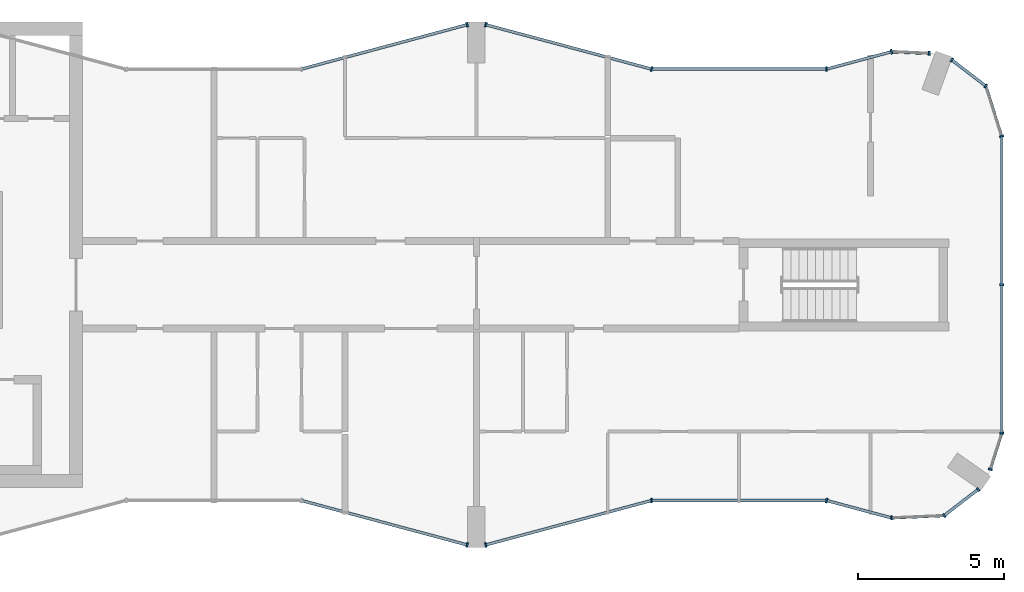
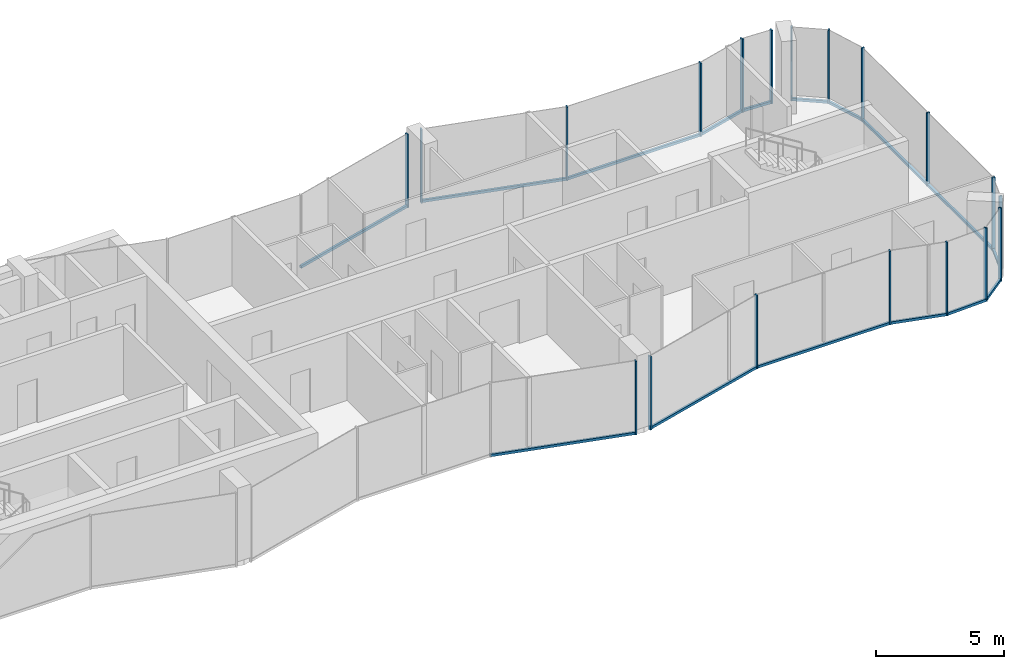
# One storey, part 5 of 10: 34 members, 15 elements without a shape of their own.
"""IFC4 building model written with IfcOpenShell, lengths in metres."""

from ifc_helpers import new_model, si_unit, direction, frame, origin, origin_2d, place, context, subcontext, project, spatial, rectangle, extrude, material, layer, layer_set, material_profile, profile_set, type_object, element, aggregate, save


model = new_model("IFC4")

# Units and contexts
model_context = context("Model", 3, precision=1e-05, world=origin(), true_north=direction((0.0, 1.0)))
body_context = subcontext(model_context, "Body", "Model", "MODEL_VIEW")
ifc_project = project(units=[si_unit("LENGTHUNIT", "METRE"), si_unit("AREAUNIT", "SQUARE_METRE"), si_unit("VOLUMEUNIT", "CUBIC_METRE"), si_unit("PLANEANGLEUNIT", "RADIAN"), si_unit("MASSUNIT", "GRAM", prefix="KILO")], contexts=[model_context])

# Site, building, storey
site_placement = place(None, origin())
site = spatial("IfcSite", under=ifc_project, at=site_placement, CompositionType="ELEMENT")
building_placement = place(site_placement, origin())
building = spatial("IfcBuilding", under=site, at=building_placement, Name="Plateau Cross Towers", CompositionType="ELEMENT")
storey_placement = place(building_placement, frame((0.0, 0.0, 277.39990234375)))
storey = spatial("IfcBuildingStorey", under=building, at=storey_placement, Name="L73", CompositionType="ELEMENT", Elevation=277.39990234375)

# Curtain wall, member
ifc_material_1 = material(Name="Dark low-iron glass", Category="glass")
ifc_layer_1 = layer(ifc_material_1, 0.239990234375)
ifc_layer_set_1 = layer_set([ifc_layer_1], Name="Dark low-iron glass")
curtain_wall_type_1 = type_object("IfcCurtainWallType", Name="Curtain wall flush unitised CW-B", PredefinedType="NOTDEFINED", material=ifc_layer_set_1)
curtain_wall_1_placement = place(storey_placement, origin())
curtain_wall_1 = element("IfcCurtainWall", 1, at=curtain_wall_1_placement, inside=storey, type_object=curtain_wall_type_1, Name="ENV/A/L73/A502_10", PredefinedType="NOTDEFINED")
ifc_material_2 = material(Name="Black anodised aluminium", Category="aluminium")
ifc_material_profile_1 = material_profile(ifc_material_2, rectangle(XDim=0.06005859375, YDim=0.139892578125, at=origin_2d()), Name="MULLION 60x140")
ifc_profile_set_1 = profile_set([ifc_material_profile_1], Name="Black anodised aluminium")
member_type_1 = type_object("IfcMemberType", Name="Mullion 60x140 flush unitised", PredefinedType="MULLION", material=ifc_profile_set_1)
member_1_placement = place(storey_placement, frame((50.223876953125, 1.01123046875, -0.25), z_axis=(0.0, 0.0, 1.0), x_axis=(0.999043701491, 0.043722791671, 0.0)))
member_1 = element("IfcMember", 2, at=member_1_placement, type_object=member_type_1, Name="CW-B mullion 1", PredefinedType="MULLION", context=body_context, shape_type="SweptSolid", body=[
    extrude(rectangle(XDim=0.06005859375, YDim=0.139892578125, at=origin_2d()), origin(), (0.0, 0.0, 1.0), 3.5),
])

# Curtain wall, members
curtain_wall_2_placement = place(storey_placement, origin())
curtain_wall_2 = element("IfcCurtainWall", 3, at=curtain_wall_2_placement, inside=storey, type_object=curtain_wall_type_1, Name="ENV/A/L73/A520_11", PredefinedType="NOTDEFINED")
member_2_placement = place(storey_placement, frame((52.0263671875, 1.090087890625, -0.25), z_axis=(0.0, 0.0, 1.0), x_axis=(0.793315514529, 0.608810721331, 0.0)))
member_2 = element("IfcMember", 4, at=member_2_placement, type_object=member_type_1, Name="CW-B mullion 1", PredefinedType="MULLION", context=body_context, shape_type="SweptSolid", body=[
    extrude(rectangle(XDim=0.06005859375, YDim=0.139892578125, at=origin_2d()), origin(), (0.0, 0.0, 1.0), 3.5),
])
member_3_placement = place(storey_placement, frame((53.193603515625, 1.986083984375, -0.25), z_axis=(0.0, 0.0, 1.0), x_axis=(0.793315514529, 0.608810721331, 0.0)))
member_3 = element("IfcMember", 5, at=member_3_placement, type_object=member_type_1, Name="CW-B mullion 2", PredefinedType="MULLION", context=body_context, shape_type="SweptSolid", body=[
    extrude(rectangle(XDim=0.06005859375, YDim=0.139892578125, at=origin_2d()), origin(), (0.0, 0.0, 1.0), 3.5),
])

# Curtain wall, member
curtain_wall_3_placement = place(storey_placement, origin())
curtain_wall_3 = element("IfcCurtainWall", 6, at=curtain_wall_3_placement, inside=storey, type_object=curtain_wall_type_1, Name="ENV/A/L73/A536_27", PredefinedType="NOTDEFINED")
member_4_placement = place(storey_placement, frame((53.611083984375, 2.67529296875, -0.25), z_axis=(0.0, 0.0, 1.0), x_axis=(0.300686174994, 0.95372313811, 0.0)))
member_4 = element("IfcMember", 7, at=member_4_placement, type_object=member_type_1, Name="CW-B mullion 1", PredefinedType="MULLION", context=body_context, shape_type="SweptSolid", body=[
    extrude(rectangle(XDim=0.06005859375, YDim=0.139892578125, at=origin_2d()), origin(), (0.0, 0.0, 1.0), 3.5),
])

# Curtain wall, members
curtain_wall_4_placement = place(storey_placement, origin())
curtain_wall_4 = element("IfcCurtainWall", 8, at=curtain_wall_4_placement, inside=storey, type_object=curtain_wall_type_1, Name="ENV/A/L73/A540_39", PredefinedType="NOTDEFINED")
member_5_placement = place(storey_placement, frame((54.0, 3.9091796875, -0.25), z_axis=(0.0, 0.0, 1.0), x_axis=(0.0, 1.0, 0.0)))
member_5 = element("IfcMember", 9, at=member_5_placement, type_object=member_type_1, Name="CW-B mullion 1", PredefinedType="MULLION", context=body_context, shape_type="SweptSolid", body=[
    extrude(rectangle(XDim=0.06005859375, YDim=0.139892578125, at=origin_2d()), origin(), (0.0, 0.0, 1.0), 3.5),
])
member_6_placement = place(storey_placement, frame((54.0, 9.0, -0.25), z_axis=(0.0, 0.0, 1.0), x_axis=(0.0, 1.0, 0.0)))
member_6 = element("IfcMember", 10, at=member_6_placement, type_object=member_type_1, Name="CW-B mullion 2", PredefinedType="MULLION", context=body_context, shape_type="SweptSolid", body=[
    extrude(rectangle(XDim=0.06005859375, YDim=0.139892578125, at=origin_2d()), origin(), (0.0, 0.0, 1.0), 3.5),
])

# Curtain wall, member
curtain_wall_5_placement = place(storey_placement, origin())
curtain_wall_5 = element("IfcCurtainWall", 11, at=curtain_wall_5_placement, inside=storey, type_object=curtain_wall_type_1, Name="ENV/A/L73/A540_141", PredefinedType="NOTDEFINED")
member_7_placement = place(storey_placement, frame((54.0, 14.0908203125, -0.25), z_axis=(0.0, 0.0, 1.0), x_axis=(-0.300686174994, 0.95372313811, 0.0)))
member_7 = element("IfcMember", 12, at=member_7_placement, type_object=member_type_1, Name="CW-B mullion 1", PredefinedType="MULLION", context=body_context, shape_type="SweptSolid", body=[
    extrude(rectangle(XDim=0.06005859375, YDim=0.139892578125, at=origin_2d()), origin(), (0.0, 0.0, 1.0), 3.5),
])

# Curtain wall, members
curtain_wall_6_placement = place(storey_placement, origin())
curtain_wall_6 = element("IfcCurtainWall", 13, at=curtain_wall_6_placement, inside=storey, type_object=curtain_wall_type_1, Name="ENV/A/L73/A535_158", PredefinedType="NOTDEFINED")
member_8_placement = place(storey_placement, frame((53.45751953125, 15.8115234375, -0.25), z_axis=(0.0, 0.0, 1.0), x_axis=(-0.793315514529, 0.608810721331, 0.0)))
member_8 = element("IfcMember", 14, at=member_8_placement, type_object=member_type_1, Name="CW-B mullion 1", PredefinedType="MULLION", context=body_context, shape_type="SweptSolid", body=[
    extrude(rectangle(XDim=0.06005859375, YDim=0.139892578125, at=origin_2d()), origin(), (0.0, 0.0, 1.0), 3.5),
])
member_9_placement = place(storey_placement, frame((52.290283203125, 16.707275390625, -0.25), z_axis=(0.0, 0.0, 1.0), x_axis=(-0.793315514529, 0.608810721331, 0.0)))
member_9 = element("IfcMember", 15, at=member_9_placement, type_object=member_type_1, Name="CW-B mullion 2", PredefinedType="MULLION", context=body_context, shape_type="SweptSolid", body=[
    extrude(rectangle(XDim=0.06005859375, YDim=0.139892578125, at=origin_2d()), origin(), (0.0, 0.0, 1.0), 3.5),
])

# Curtain wall, member
curtain_wall_7_placement = place(storey_placement, origin())
curtain_wall_7 = element("IfcCurtainWall", 16, at=curtain_wall_7_placement, inside=storey, type_object=curtain_wall_type_1, Name="ENV/A/L73/A515_169", PredefinedType="NOTDEFINED")
member_10_placement = place(storey_placement, frame((51.516357421875, 16.93212890625, -0.25), z_axis=(0.0, 0.0, 1.0), x_axis=(-0.999043701491, 0.043722791671, 0.0)))
member_10 = element("IfcMember", 17, at=member_10_placement, type_object=member_type_1, Name="CW-B mullion 1", PredefinedType="MULLION", context=body_context, shape_type="SweptSolid", body=[
    extrude(rectangle(XDim=0.06005859375, YDim=0.139892578125, at=origin_2d()), origin(), (0.0, 0.0, 1.0), 3.5),
])

ifc_layer_2 = layer(ifc_material_1, 0.260009765625)
ifc_layer_set_2 = layer_set([ifc_layer_2], Name="Dark low-iron glass")
curtain_wall_type_2 = type_object("IfcCurtainWallType", Name="Curtain wall fluted unitised CW-A", PredefinedType="NOTDEFINED", material=ifc_layer_set_2)
curtain_wall_8_placement = place(storey_placement, origin())
curtain_wall_8 = element("IfcCurtainWall", 18, at=curtain_wall_8_placement, inside=storey, type_object=curtain_wall_type_2, Name="ENV/A/L73/A300_16", PredefinedType="NOTDEFINED")
ifc_material_profile_2 = material_profile(ifc_material_2, rectangle(XDim=0.06005859375, YDim=0.159912109375, at=origin_2d()), Name="MULLION 60x160")
ifc_profile_set_2 = profile_set([ifc_material_profile_2], Name="Black anodised aluminium")
member_type_2 = type_object("IfcMemberType", Name="Mullion 60x160 fluted unitised", PredefinedType="MULLION", material=ifc_profile_set_2)
member_11_placement = place(storey_placement, frame((35.68212890625, 0.085205078125, -0.25), z_axis=(0.0, 0.0, 1.0), x_axis=(0.965957983404, -0.258699003279, 0.0)))
member_11 = element("IfcMember", 19, at=member_11_placement, type_object=member_type_2, Name="CW-A mullion 2", PredefinedType="MULLION", context=body_context, shape_type="SweptSolid", body=[
    extrude(rectangle(XDim=0.06005859375, YDim=0.159912109375, at=origin_2d()), origin(), (0.0, 0.0, 1.0), 3.5),
])

curtain_wall_9_placement = place(storey_placement, origin())
curtain_wall_9 = element("IfcCurtainWall", 20, at=curtain_wall_9_placement, inside=storey, type_object=curtain_wall_type_2, Name="ENV/A/L73/A363_1", PredefinedType="NOTDEFINED")
member_12_placement = place(storey_placement, frame((36.31787109375, 0.085205078125, -0.25), z_axis=(0.0, 0.0, 1.0), x_axis=(0.965957983404, 0.258699003279, 0.0)))
member_12 = element("IfcMember", 21, at=member_12_placement, type_object=member_type_2, Name="CW-A mullion 1", PredefinedType="MULLION", context=body_context, shape_type="SweptSolid", body=[
    extrude(rectangle(XDim=0.06005859375, YDim=0.159912109375, at=origin_2d()), origin(), (0.0, 0.0, 1.0), 3.5),
])

curtain_wall_10_placement = place(storey_placement, origin())
curtain_wall_10 = element("IfcCurtainWall", 22, at=curtain_wall_10_placement, inside=storey, type_object=curtain_wall_type_2, Name="ENV/A/L73/A420_16", PredefinedType="NOTDEFINED")
member_13_placement = place(storey_placement, frame((42.0, 1.60693359375, -0.25), z_axis=(0.0, 0.0, 1.0), x_axis=(1.0, 0.0, 0.0)))
member_13 = element("IfcMember", 23, at=member_13_placement, type_object=member_type_2, Name="CW-A mullion 1", PredefinedType="MULLION", context=body_context, shape_type="SweptSolid", body=[
    extrude(rectangle(XDim=0.06005859375, YDim=0.159912109375, at=origin_2d()), origin(), (0.0, 0.0, 1.0), 3.5),
])

curtain_wall_11_placement = place(storey_placement, origin())
curtain_wall_11 = element("IfcCurtainWall", 24, at=curtain_wall_11_placement, inside=storey, type_object=curtain_wall_type_2, Name="ENV/A/L73/A480_16", PredefinedType="NOTDEFINED")
member_14_placement = place(storey_placement, frame((48.0, 1.60693359375, -0.25), z_axis=(0.0, 0.0, 1.0), x_axis=(0.965957962328, -0.258699081978, 0.0)))
member_14 = element("IfcMember", 25, at=member_14_placement, type_object=member_type_2, Name="CW-A mullion 1", PredefinedType="MULLION", context=body_context, shape_type="SweptSolid", body=[
    extrude(rectangle(XDim=0.06005859375, YDim=0.159912109375, at=origin_2d()), origin(), (0.0, 0.0, 1.0), 3.5),
])

curtain_wall_12_placement = place(storey_placement, origin())
curtain_wall_12 = element("IfcCurtainWall", 26, at=curtain_wall_12_placement, inside=storey, type_object=curtain_wall_type_2, Name="ENV/A/L73/A502_170", PredefinedType="NOTDEFINED")
member_15_placement = place(storey_placement, frame((50.223876953125, 16.98876953125, -0.25), z_axis=(0.0, 0.0, 1.0), x_axis=(-0.965957962328, -0.258699081978, 0.0)))
member_15 = element("IfcMember", 27, at=member_15_placement, type_object=member_type_2, Name="CW-A mullion 1", PredefinedType="MULLION", context=body_context, shape_type="SweptSolid", body=[
    extrude(rectangle(XDim=0.06005859375, YDim=0.159912109375, at=origin_2d()), origin(), (0.0, 0.0, 1.0), 3.5),
])

curtain_wall_13_placement = place(storey_placement, origin())
curtain_wall_13 = element("IfcCurtainWall", 28, at=curtain_wall_13_placement, inside=storey, type_object=curtain_wall_type_2, Name="ENV/A/L73/A480_164", PredefinedType="NOTDEFINED")
member_16_placement = place(storey_placement, frame((48.0, 16.39306640625, -0.25), z_axis=(0.0, 0.0, 1.0), x_axis=(-1.0, 0.0, 0.0)))
member_16 = element("IfcMember", 29, at=member_16_placement, type_object=member_type_2, Name="CW-A mullion 1", PredefinedType="MULLION", context=body_context, shape_type="SweptSolid", body=[
    extrude(rectangle(XDim=0.06005859375, YDim=0.159912109375, at=origin_2d()), origin(), (0.0, 0.0, 1.0), 3.5),
])

# Curtain wall, members
curtain_wall_14_placement = place(storey_placement, origin())
curtain_wall_14 = element("IfcCurtainWall", 30, at=curtain_wall_14_placement, inside=storey, type_object=curtain_wall_type_2, Name="ENV/A/L73/A420_164", PredefinedType="NOTDEFINED")
member_17_placement = place(storey_placement, frame((42.0, 16.39306640625, -0.25), z_axis=(0.0, 0.0, 1.0), x_axis=(-0.965957983404, 0.258699003279, 0.0)))
member_17 = element("IfcMember", 31, at=member_17_placement, type_object=member_type_2, Name="CW-A mullion 1", PredefinedType="MULLION", context=body_context, shape_type="SweptSolid", body=[
    extrude(rectangle(XDim=0.06005859375, YDim=0.159912109375, at=origin_2d()), origin(), (0.0, 0.0, 1.0), 3.5),
])
member_18_placement = place(storey_placement, frame((36.31787109375, 17.914794921875, -0.25), z_axis=(0.0, 0.0, 1.0), x_axis=(-0.965957983404, 0.258699003279, 0.0)))
member_18 = element("IfcMember", 32, at=member_18_placement, type_object=member_type_2, Name="CW-A mullion 2", PredefinedType="MULLION", context=body_context, shape_type="SweptSolid", body=[
    extrude(rectangle(XDim=0.06005859375, YDim=0.159912109375, at=origin_2d()), origin(), (0.0, 0.0, 1.0), 3.5),
])

# Curtain wall, member
curtain_wall_15_placement = place(storey_placement, origin())
curtain_wall_15 = element("IfcCurtainWall", 33, at=curtain_wall_15_placement, inside=storey, type_object=curtain_wall_type_2, Name="ENV/A/L73/A357_179", PredefinedType="NOTDEFINED")
member_19_placement = place(storey_placement, frame((35.68212890625, 17.914794921875, -0.25), z_axis=(0.0, 0.0, 1.0), x_axis=(-0.965957983404, -0.258699003279, 0.0)))
member_19 = element("IfcMember", 34, at=member_19_placement, type_object=member_type_2, Name="CW-A mullion 1", PredefinedType="MULLION", context=body_context, shape_type="SweptSolid", body=[
    extrude(rectangle(XDim=0.06005859375, YDim=0.159912109375, at=origin_2d()), origin(), (0.0, 0.0, 1.0), 3.5),
])

# Member
ifc_material_profile_3 = material_profile(ifc_material_2, rectangle(XDim=0.10009765625, YDim=0.1201171875, at=origin_2d()), Name="TRANSOM 100x120")
ifc_profile_set_3 = profile_set([ifc_material_profile_3], Name="Black anodised aluminium")
member_type_3 = type_object("IfcMemberType", Name="Transom 100x120 flush unitised", PredefinedType="USERDEFINED", material=ifc_profile_set_3)
member_20_placement = place(storey_placement, frame((50.223876953125, 1.01123046875, -0.18994140625), z_axis=(0.999044377355, 0.043707345779, 0.0), x_axis=(-0.043707345779, 0.999044377355, 0.0)))
member_20 = element("IfcMember", 35, at=member_20_placement, type_object=member_type_3, Name="CW-B transom", ObjectType="TRANSOM", PredefinedType="USERDEFINED", context=body_context, shape_type="SweptSolid", body=[
    extrude(rectangle(XDim=0.10009765625, YDim=0.1201171875, at=origin_2d()), origin(), (0.0, 0.0, 1.0), 1.80419921875),
])

aggregate(curtain_wall_1, [member_1, member_20])

member_21_placement = place(storey_placement, frame((52.0263671875, 1.090087890625, -0.18994140625), z_axis=(0.793240368515, 0.608908628415, 0.0), x_axis=(-0.608908628415, 0.793240368515, 0.0)))
member_21 = element("IfcMember", 36, at=member_21_placement, type_object=member_type_3, Name="CW-B transom", ObjectType="TRANSOM", PredefinedType="USERDEFINED", context=body_context, shape_type="SweptSolid", body=[
    extrude(rectangle(XDim=0.10009765625, YDim=0.1201171875, at=origin_2d()), origin(), (0.0, 0.0, 1.0), 1.471435546875),
])

aggregate(curtain_wall_2, [member_2, member_3, member_21])

member_22_placement = place(storey_placement, frame((53.611083984375, 2.67529296875, -0.18994140625), z_axis=(0.300616528216, 0.953745093284, 0.0), x_axis=(-0.953745093284, 0.300616528216, 0.0)))
member_22 = element("IfcMember", 37, at=member_22_placement, type_object=member_type_3, Name="CW-B transom", ObjectType="TRANSOM", PredefinedType="USERDEFINED", context=body_context, shape_type="SweptSolid", body=[
    extrude(rectangle(XDim=0.10009765625, YDim=0.1201171875, at=origin_2d()), origin(), (0.0, 0.0, 1.0), 1.293701171875),
])

aggregate(curtain_wall_3, [member_4, member_22])

member_23_placement = place(storey_placement, frame((54.0, 3.9091796875, -0.18994140625), z_axis=(0.0, 1.0, 0.0), x_axis=(-1.0, 0.0, 0.0)))
member_23 = element("IfcMember", 38, at=member_23_placement, type_object=member_type_3, Name="CW-B transom", ObjectType="TRANSOM", PredefinedType="USERDEFINED", context=body_context, shape_type="SweptSolid", body=[
    extrude(rectangle(XDim=0.10009765625, YDim=0.1201171875, at=origin_2d()), origin(), (0.0, 0.0, 1.0), 10.181640625),
])

aggregate(curtain_wall_4, [member_5, member_6, member_23])

member_24_placement = place(storey_placement, frame((54.0, 14.0908203125, -0.18994140625), z_axis=(-0.30067799945, 0.953725715626, 0.0), x_axis=(-0.953725715626, -0.30067799945, 0.0)))
member_24 = element("IfcMember", 39, at=member_24_placement, type_object=member_type_3, Name="CW-B transom", ObjectType="TRANSOM", PredefinedType="USERDEFINED", context=body_context, shape_type="SweptSolid", body=[
    extrude(rectangle(XDim=0.10009765625, YDim=0.1201171875, at=origin_2d()), origin(), (0.0, 0.0, 1.0), 1.80419921875),
])

aggregate(curtain_wall_5, [member_7, member_24])

member_25_placement = place(storey_placement, frame((53.45751953125, 15.8115234375, -0.18994140625), z_axis=(-0.793320508571, 0.608804213751, 0.0), x_axis=(-0.608804213751, -0.793320508571, 0.0)))
member_25 = element("IfcMember", 40, at=member_25_placement, type_object=member_type_3, Name="CW-B transom", ObjectType="TRANSOM", PredefinedType="USERDEFINED", context=body_context, shape_type="SweptSolid", body=[
    extrude(rectangle(XDim=0.10009765625, YDim=0.1201171875, at=origin_2d()), origin(), (0.0, 0.0, 1.0), 1.471435546875),
])

aggregate(curtain_wall_6, [member_8, member_9, member_25])

member_26_placement = place(storey_placement, frame((51.516357421875, 16.93212890625, -0.18994140625), z_axis=(-0.999041144614, 0.043781175963, 0.0), x_axis=(-0.043781175963, -0.999041144614, 0.0)))
member_26 = element("IfcMember", 41, at=member_26_placement, type_object=member_type_3, Name="CW-B transom", ObjectType="TRANSOM", PredefinedType="USERDEFINED", context=body_context, shape_type="SweptSolid", body=[
    extrude(rectangle(XDim=0.10009765625, YDim=0.1201171875, at=origin_2d()), origin(), (0.0, 0.0, 1.0), 1.293701171875),
])

aggregate(curtain_wall_7, [member_10, member_26])

ifc_material_profile_4 = material_profile(ifc_material_2, rectangle(XDim=0.10009765625, YDim=0.1201171875, at=origin_2d()), Name="TRANSOM 100x120")
ifc_profile_set_4 = profile_set([ifc_material_profile_4], Name="Black anodised aluminium")
member_type_4 = type_object("IfcMemberType", Name="Transom 100x120 fluted unitised", PredefinedType="USERDEFINED", material=ifc_profile_set_4)
member_27_placement = place(storey_placement, frame((30.0, 1.60693359375, -0.18994140625), z_axis=(0.965959534794, -0.258693210465, 0.0), x_axis=(0.258693210465, 0.965959534794, 0.0)))
member_27 = element("IfcMember", 42, at=member_27_placement, type_object=member_type_4, Name="CW-A transom", ObjectType="TRANSOM", PredefinedType="USERDEFINED", context=body_context, shape_type="SweptSolid", body=[
    extrude(rectangle(XDim=0.10009765625, YDim=0.1201171875, at=origin_2d()), origin(), (0.0, 0.0, 1.0), 5.88232421875),
])

aggregate(curtain_wall_8, [member_11, member_27])

member_28_placement = place(storey_placement, frame((36.31787109375, 0.085205078125, -0.18994140625), z_axis=(0.965959534794, 0.258693210465, 0.0), x_axis=(-0.258693210465, 0.965959534794, 0.0)))
member_28 = element("IfcMember", 43, at=member_28_placement, type_object=member_type_4, Name="CW-A transom", ObjectType="TRANSOM", PredefinedType="USERDEFINED", context=body_context, shape_type="SweptSolid", body=[
    extrude(rectangle(XDim=0.10009765625, YDim=0.1201171875, at=origin_2d()), origin(), (0.0, 0.0, 1.0), 5.88232421875),
])

aggregate(curtain_wall_9, [member_12, member_28])

member_29_placement = place(storey_placement, frame((42.0, 1.60693359375, -0.18994140625), z_axis=(1.0, 0.0, 0.0), x_axis=(0.0, 1.0, 0.0)))
member_29 = element("IfcMember", 44, at=member_29_placement, type_object=member_type_4, Name="CW-A transom", ObjectType="TRANSOM", PredefinedType="USERDEFINED", context=body_context, shape_type="SweptSolid", body=[
    extrude(rectangle(XDim=0.10009765625, YDim=0.1201171875, at=origin_2d()), origin(), (0.0, 0.0, 1.0), 6.0),
])

aggregate(curtain_wall_10, [member_13, member_29])

member_30_placement = place(storey_placement, frame((48.0, 1.60693359375, -0.18994140625), z_axis=(0.965945685136, -0.258744919501, 0.0), x_axis=(0.258744919501, 0.965945685136, 0.0)))
member_30 = element("IfcMember", 45, at=member_30_placement, type_object=member_type_4, Name="CW-A transom", ObjectType="TRANSOM", PredefinedType="USERDEFINED", context=body_context, shape_type="SweptSolid", body=[
    extrude(rectangle(XDim=0.10009765625, YDim=0.1201171875, at=origin_2d()), origin(), (0.0, 0.0, 1.0), 2.30224609375),
])

aggregate(curtain_wall_11, [member_14, member_30])

member_31_placement = place(storey_placement, frame((50.223876953125, 16.98876953125, -0.18994140625), z_axis=(-0.965945685136, -0.258744919501, 0.0), x_axis=(0.258744919501, -0.965945685136, 0.0)))
member_31 = element("IfcMember", 46, at=member_31_placement, type_object=member_type_4, Name="CW-A transom", ObjectType="TRANSOM", PredefinedType="USERDEFINED", context=body_context, shape_type="SweptSolid", body=[
    extrude(rectangle(XDim=0.10009765625, YDim=0.1201171875, at=origin_2d()), origin(), (0.0, 0.0, 1.0), 2.30224609375),
])

aggregate(curtain_wall_12, [member_15, member_31])

member_32_placement = place(storey_placement, frame((48.0, 16.39306640625, -0.18994140625), z_axis=(-1.0, 0.0, 0.0), x_axis=(0.0, -1.0, 0.0)))
member_32 = element("IfcMember", 47, at=member_32_placement, type_object=member_type_4, Name="CW-A transom", ObjectType="TRANSOM", PredefinedType="USERDEFINED", context=body_context, shape_type="SweptSolid", body=[
    extrude(rectangle(XDim=0.10009765625, YDim=0.1201171875, at=origin_2d()), origin(), (0.0, 0.0, 1.0), 6.0),
])

aggregate(curtain_wall_13, [member_16, member_32])

member_33_placement = place(storey_placement, frame((42.0, 16.39306640625, -0.18994140625), z_axis=(-0.965959534794, 0.258693210465, 0.0), x_axis=(-0.258693210465, -0.965959534794, 0.0)))
member_33 = element("IfcMember", 48, at=member_33_placement, type_object=member_type_4, Name="CW-A transom", ObjectType="TRANSOM", PredefinedType="USERDEFINED", context=body_context, shape_type="SweptSolid", body=[
    extrude(rectangle(XDim=0.10009765625, YDim=0.1201171875, at=origin_2d()), origin(), (0.0, 0.0, 1.0), 5.88232421875),
])

aggregate(curtain_wall_14, [member_17, member_18, member_33])

member_34_placement = place(storey_placement, frame((35.68212890625, 17.914794921875, -0.18994140625), z_axis=(-0.965959534794, -0.258693210465, 0.0), x_axis=(0.258693210465, -0.965959534794, 0.0)))
member_34 = element("IfcMember", 49, at=member_34_placement, type_object=member_type_4, Name="CW-A transom", ObjectType="TRANSOM", PredefinedType="USERDEFINED", context=body_context, shape_type="SweptSolid", body=[
    extrude(rectangle(XDim=0.10009765625, YDim=0.1201171875, at=origin_2d()), origin(), (0.0, 0.0, 1.0), 5.88232421875),
])

aggregate(curtain_wall_15, [member_19, member_34])

save(model, "model.ifc")
